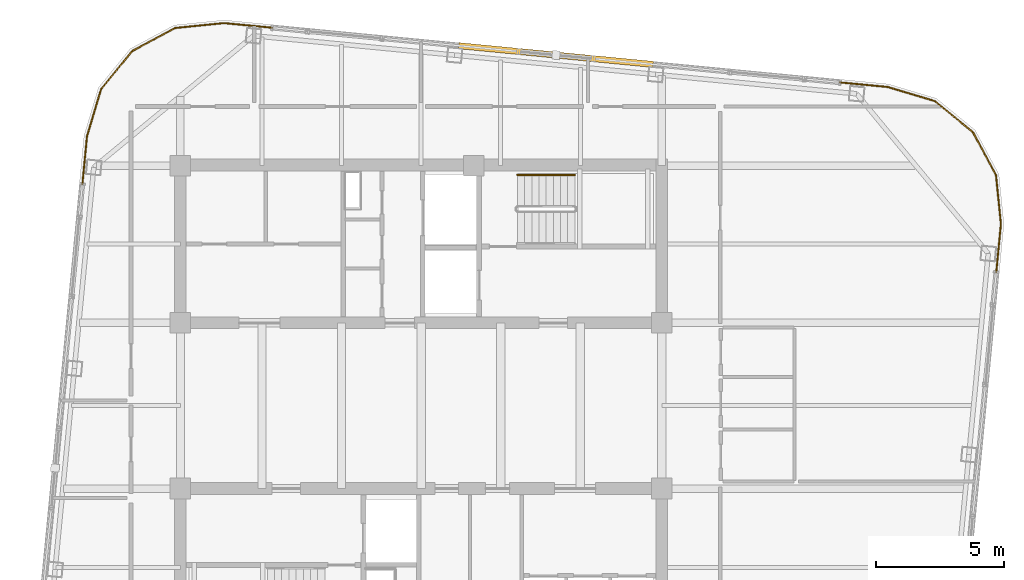
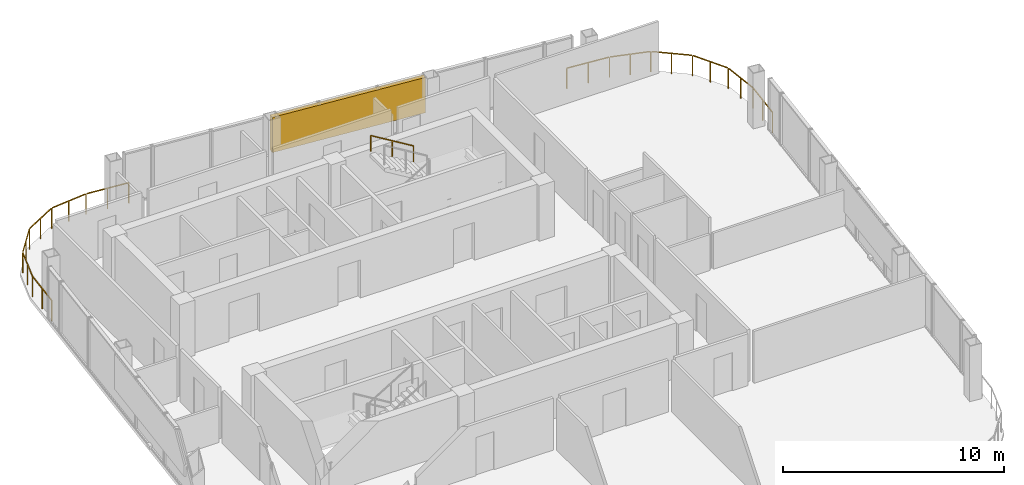
# One storey, part 23 of 23: 3 railings, 1 shading device.
"""IFC4 building model written with IfcOpenShell, lengths in metres."""

from ifc_helpers import new_model, si_unit, direction, frame, origin, origin_2d, place, context, subcontext, project, spatial, rectangle, extrude, material, type_object, element, save


model = new_model("IFC4")

# Units and contexts
model_context = context("Model", 3, precision=1e-05, world=origin(), true_north=direction((0.0, 1.0)))
body_context = subcontext(model_context, "Body", "Model", "MODEL_VIEW")
ifc_project = project(units=[si_unit("LENGTHUNIT", "METRE"), si_unit("AREAUNIT", "SQUARE_METRE"), si_unit("VOLUMEUNIT", "CUBIC_METRE"), si_unit("PLANEANGLEUNIT", "RADIAN"), si_unit("MASSUNIT", "GRAM", prefix="KILO")], contexts=[model_context])

# Site, building, storey
site_placement = place(None, origin())
site = spatial("IfcSite", under=ifc_project, at=site_placement, CompositionType="ELEMENT")
building_placement = place(site_placement, origin())
building = spatial("IfcBuilding", under=site, at=building_placement, Name="Qhalaya Broadcast Tower", CompositionType="ELEMENT")
storey_placement = place(building_placement, frame((0.0, 0.0, 261.14990234375)))
storey = spatial("IfcBuildingStorey", under=building, at=storey_placement, Name="L77", CompositionType="ELEMENT", Elevation=261.14990234375)

# Railings
ifc_material_1 = material(Name="Powder-Coated Galvanised Steel", Category="steel")
railing_type_1 = type_object("IfcRailingType", Name="Stair Wall Handrail 900", PredefinedType="HANDRAIL", material=ifc_material_1)
railing_1_placement = place(storey_placement, frame((5.989990234375, 9.590087890625, 1.694580078125)))
element("IfcRailing", 1, at=railing_1_placement, inside=storey, type_object=railing_type_1, Name="L77 ST-1 Stair Handrail 2", PredefinedType="HANDRAIL", context=body_context, shape_type="SweptSolid", body=[
    extrude(rectangle(XDim=0.048095703125, YDim=0.048095703125, at=origin_2d()), frame((0.0, 0.0, 0.8759765625), z_axis=(-0.855553338991, 0.0, 0.51771467445), x_axis=(0.0, -1.0, 0.0)), (0.0, 0.0, 1.0), 2.6181640625),
    extrude(rectangle(XDim=0.0419921875, YDim=0.0419921875, at=origin_2d()), origin(), (0.0, 0.0, 1.0), 0.849853515625),
    extrude(rectangle(XDim=0.0419921875, YDim=0.0419921875, at=origin_2d()), frame((-1.1201171875, 0.0, 0.677734375)), (0.0, 0.0, 1.0), 0.849853515625),
    extrude(rectangle(XDim=0.0419921875, YDim=0.0419921875, at=origin_2d()), frame((-2.239990234375, 0.0, 1.35546875)), (0.0, 0.0, 1.0), 0.849853515625),
])
railing_type_2 = type_object("IfcRailingType", Name="Terrace, Sky-Pool & Lookout Glass Balustrade 1150", PredefinedType="BALUSTRADE", material=ifc_material_1)
railing_2_placement = place(storey_placement, frame((-13.2158203125, 8.99365234375, 0.0)))
element("IfcRailing", 2, at=railing_2_placement, inside=storey, type_object=railing_type_2, Name="L77 Rounded Corner Perimeter Guard 03", PredefinedType="BALUSTRADE", context=body_context, shape_type="SweptSolid", body=[
    extrude(rectangle(XDim=0.048095703125, YDim=0.048095703125, at=origin_2d()), frame((0.0, 0.0, 1.1259765625), z_axis=(0.095896889673, 0.995391273094, 0.0), x_axis=(-0.995391273094, 0.095896889673, 0.0)), (0.0, 0.0, 1.0), 2.08935546875),
    extrude(rectangle(XDim=0.048095703125, YDim=0.048095703125, at=origin_2d()), frame((0.21142578125, 2.135986328125, 1.1259765625), z_axis=(0.288096282124, 0.957601447485, 0.0), x_axis=(-0.957601447485, 0.288096282124, 0.0)), (0.0, 0.0, 1.0), 1.857421875),
    extrude(rectangle(XDim=0.048095703125, YDim=0.048095703125, at=origin_2d()), frame((0.773193359375, 3.96484375, 1.1259765625), z_axis=(0.63274871945, 0.774357190213, 0.0), x_axis=(-0.774357190213, 0.63274871945, 0.0)), (0.0, 0.0, 1.0), 1.845703125),
    extrude(rectangle(XDim=0.048095703125, YDim=0.048095703125, at=origin_2d()), frame((1.984619140625, 5.429931640625, 1.1259765625), z_axis=(0.880878554058, 0.473342342286, 0.0), x_axis=(-0.473342342286, 0.880878554058, 0.0)), (0.0, 0.0, 1.0), 1.845458984375),
    extrude(rectangle(XDim=0.048095703125, YDim=0.048095703125, at=origin_2d()), frame((3.66455078125, 6.320068359375, 1.1259765625), z_axis=(0.994980230152, 0.100071682341, 0.0), x_axis=(-0.100071682341, 0.994980230152, 0.0)), (0.0, 0.0, 1.0), 1.857421875),
    extrude(rectangle(XDim=0.048095703125, YDim=0.048095703125, at=origin_2d()), frame((5.570068359375, 6.506103515625, 1.1259765625), z_axis=(0.995402268864, -0.095782687057, 0.0), x_axis=(0.095782687057, 0.995402268864, 0.0)), (0.0, 0.0, 1.0), 2.08935546875),
    extrude(rectangle(XDim=0.0419921875, YDim=0.0419921875, at=origin_2d()), origin(), (0.0, 0.0, 1.0), 1.099853515625),
    extrude(rectangle(XDim=0.0419921875, YDim=0.0419921875, at=origin_2d()), frame((0.1015625, 1.05419921875, 0.0)), (0.0, 0.0, 1.0), 1.099853515625),
    extrude(rectangle(XDim=0.0419921875, YDim=0.0419921875, at=origin_2d()), frame((0.203125, 2.1083984375, 0.0)), (0.0, 0.0, 1.0), 1.099853515625),
    extrude(rectangle(XDim=0.0419921875, YDim=0.0419921875, at=origin_2d()), frame((0.47900390625, 3.025390625, 0.0)), (0.0, 0.0, 1.0), 1.099853515625),
    extrude(rectangle(XDim=0.0419921875, YDim=0.0419921875, at=origin_2d()), frame((0.7548828125, 3.9423828125, 0.0)), (0.0, 0.0, 1.0), 1.099853515625),
    extrude(rectangle(XDim=0.0419921875, YDim=0.0419921875, at=origin_2d()), frame((1.35693359375, 4.67919921875, 0.0)), (0.0, 0.0, 1.0), 1.099853515625),
    extrude(rectangle(XDim=0.0419921875, YDim=0.0419921875, at=origin_2d()), frame((1.959228515625, 5.416259765625, 0.0)), (0.0, 0.0, 1.0), 1.099853515625),
    extrude(rectangle(XDim=0.0419921875, YDim=0.0419921875, at=origin_2d()), frame((2.79736328125, 5.86669921875, 0.0)), (0.0, 0.0, 1.0), 1.099853515625),
    extrude(rectangle(XDim=0.0419921875, YDim=0.0419921875, at=origin_2d()), frame((3.6357421875, 6.317138671875, 0.0)), (0.0, 0.0, 1.0), 1.099853515625),
    extrude(rectangle(XDim=0.0419921875, YDim=0.0419921875, at=origin_2d()), frame((4.58837890625, 6.4130859375, 0.0)), (0.0, 0.0, 1.0), 1.099853515625),
    extrude(rectangle(XDim=0.0419921875, YDim=0.0419921875, at=origin_2d()), frame((5.541259765625, 6.5087890625, 0.0)), (0.0, 0.0, 1.0), 1.099853515625),
    extrude(rectangle(XDim=0.0419921875, YDim=0.0419921875, at=origin_2d()), frame((6.595458984375, 6.4072265625, 0.0)), (0.0, 0.0, 1.0), 1.099853515625),
    extrude(rectangle(XDim=0.0419921875, YDim=0.0419921875, at=origin_2d()), frame((7.649658203125, 6.305908203125, 0.0)), (0.0, 0.0, 1.0), 1.099853515625),
])
railing_3_placement = place(storey_placement, frame((16.07373046875, 13.2158203125, 0.0)))
element("IfcRailing", 3, at=railing_3_placement, inside=storey, type_object=railing_type_2, Name="L77 Rounded Corner Perimeter Guard 04", PredefinedType="BALUSTRADE", context=body_context, shape_type="SweptSolid", body=[
    extrude(rectangle(XDim=0.048095703125, YDim=0.048095703125, at=origin_2d()), frame((0.0, 0.0, 1.1259765625), z_axis=(0.995391273094, -0.095896889673, 0.0), x_axis=(0.095896889673, 0.995391273094, 0.0)), (0.0, 0.0, 1.0), 2.08935546875),
    extrude(rectangle(XDim=0.048095703125, YDim=0.048095703125, at=origin_2d()), frame((2.135986328125, -0.21142578125, 1.1259765625), z_axis=(0.957601447485, -0.288096282124, 0.0), x_axis=(0.288096282124, 0.957601447485, 0.0)), (0.0, 0.0, 1.0), 1.857421875),
    extrude(rectangle(XDim=0.048095703125, YDim=0.048095703125, at=origin_2d()), frame((3.96484375, -0.773193359375, 1.1259765625), z_axis=(0.774357190213, -0.63274871945, 0.0), x_axis=(0.63274871945, 0.774357190213, 0.0)), (0.0, 0.0, 1.0), 1.845703125),
    extrude(rectangle(XDim=0.048095703125, YDim=0.048095703125, at=origin_2d()), frame((5.429931640625, -1.984619140625, 1.1259765625), z_axis=(0.473242797018, -0.880932037714, 0.0), x_axis=(0.880932037714, 0.473242797018, 0.0)), (0.0, 0.0, 1.0), 1.845458984375),
    extrude(rectangle(XDim=0.048095703125, YDim=0.048095703125, at=origin_2d()), frame((6.31982421875, -3.66455078125, 1.1259765625), z_axis=(0.100197883148, -0.994967529225, 0.0), x_axis=(0.994967529225, 0.100197883148, 0.0)), (0.0, 0.0, 1.0), 1.857421875),
    extrude(rectangle(XDim=0.048095703125, YDim=0.048095703125, at=origin_2d()), frame((6.506103515625, -5.570068359375, 1.1259765625), z_axis=(-0.095896889673, -0.995391273094, 0.0), x_axis=(0.995391273094, -0.095896889673, 0.0)), (0.0, 0.0, 1.0), 2.08935546875),
    extrude(rectangle(XDim=0.0419921875, YDim=0.0419921875, at=origin_2d()), origin(), (0.0, 0.0, 1.0), 1.099853515625),
    extrude(rectangle(XDim=0.0419921875, YDim=0.0419921875, at=origin_2d()), frame((1.05419921875, -0.1015625, 0.0)), (0.0, 0.0, 1.0), 1.099853515625),
    extrude(rectangle(XDim=0.0419921875, YDim=0.0419921875, at=origin_2d()), frame((2.1083984375, -0.203125, 0.0)), (0.0, 0.0, 1.0), 1.099853515625),
    extrude(rectangle(XDim=0.0419921875, YDim=0.0419921875, at=origin_2d()), frame((3.025390625, -0.47900390625, 0.0)), (0.0, 0.0, 1.0), 1.099853515625),
    extrude(rectangle(XDim=0.0419921875, YDim=0.0419921875, at=origin_2d()), frame((3.9423828125, -0.7548828125, 0.0)), (0.0, 0.0, 1.0), 1.099853515625),
    extrude(rectangle(XDim=0.0419921875, YDim=0.0419921875, at=origin_2d()), frame((4.67919921875, -1.35693359375, 0.0)), (0.0, 0.0, 1.0), 1.099853515625),
    extrude(rectangle(XDim=0.0419921875, YDim=0.0419921875, at=origin_2d()), frame((5.416259765625, -1.959228515625, 0.0)), (0.0, 0.0, 1.0), 1.099853515625),
    extrude(rectangle(XDim=0.0419921875, YDim=0.0419921875, at=origin_2d()), frame((5.86669921875, -2.79736328125, 0.0)), (0.0, 0.0, 1.0), 1.099853515625),
    extrude(rectangle(XDim=0.0419921875, YDim=0.0419921875, at=origin_2d()), frame((6.31689453125, -3.6357421875, 0.0)), (0.0, 0.0, 1.0), 1.099853515625),
    extrude(rectangle(XDim=0.0419921875, YDim=0.0419921875, at=origin_2d()), frame((6.412841796875, -4.58837890625, 0.0)), (0.0, 0.0, 1.0), 1.099853515625),
    extrude(rectangle(XDim=0.0419921875, YDim=0.0419921875, at=origin_2d()), frame((6.5087890625, -5.541259765625, 0.0)), (0.0, 0.0, 1.0), 1.099853515625),
    extrude(rectangle(XDim=0.0419921875, YDim=0.0419921875, at=origin_2d()), frame((6.4072265625, -6.595458984375, 0.0)), (0.0, 0.0, 1.0), 1.099853515625),
    extrude(rectangle(XDim=0.0419921875, YDim=0.0419921875, at=origin_2d()), frame((6.3056640625, -7.649658203125, 0.0)), (0.0, 0.0, 1.0), 1.099853515625),
])

# Shading device
ifc_material_2 = material(Name="Fired Architectural Terracotta", Category="masonry")
shading_device_type = type_object("IfcShadingDeviceType", Name="Terracotta Baguette Solar Screen Assembly TBS-01", PredefinedType="USERDEFINED", material=ifc_material_2)
shading_device_placement = place(storey_placement, frame((5.25390625, 14.2578125, 0.80078125), z_axis=(0.0, 0.0, 1.0), x_axis=(-0.995396198367, 0.09584575252, 0.0)))
element("IfcShadingDevice", 4, at=shading_device_placement, inside=storey, type_object=shading_device_type, Name="L77 Fired Terracotta Baguette Screen N", ObjectType="BAGUETTE", PredefinedType="USERDEFINED", context=body_context, shape_type="SweptSolid", body=[
    extrude(rectangle(XDim=7.60009765625, YDim=0.239990234375, at=origin_2d()), origin(), (0.0, 0.0, 1.0), 1.945068359375),
])

save(model, "model.ifc")
